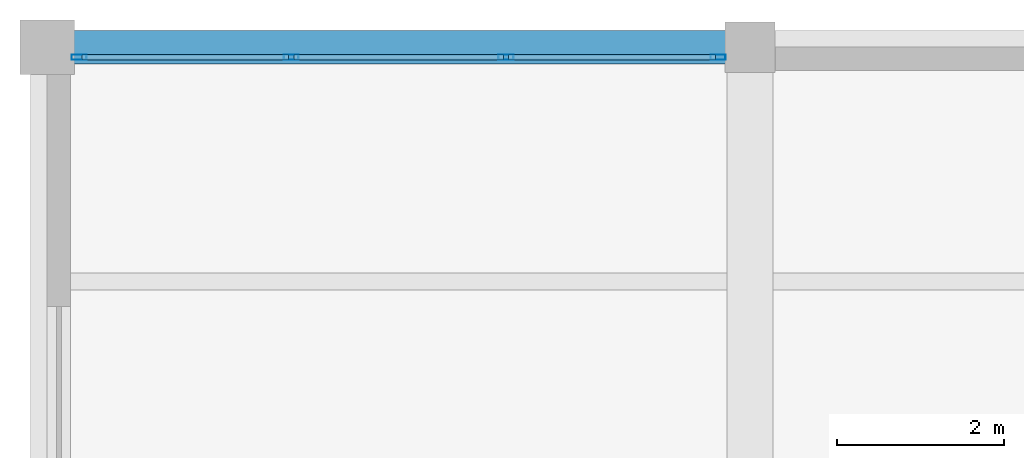
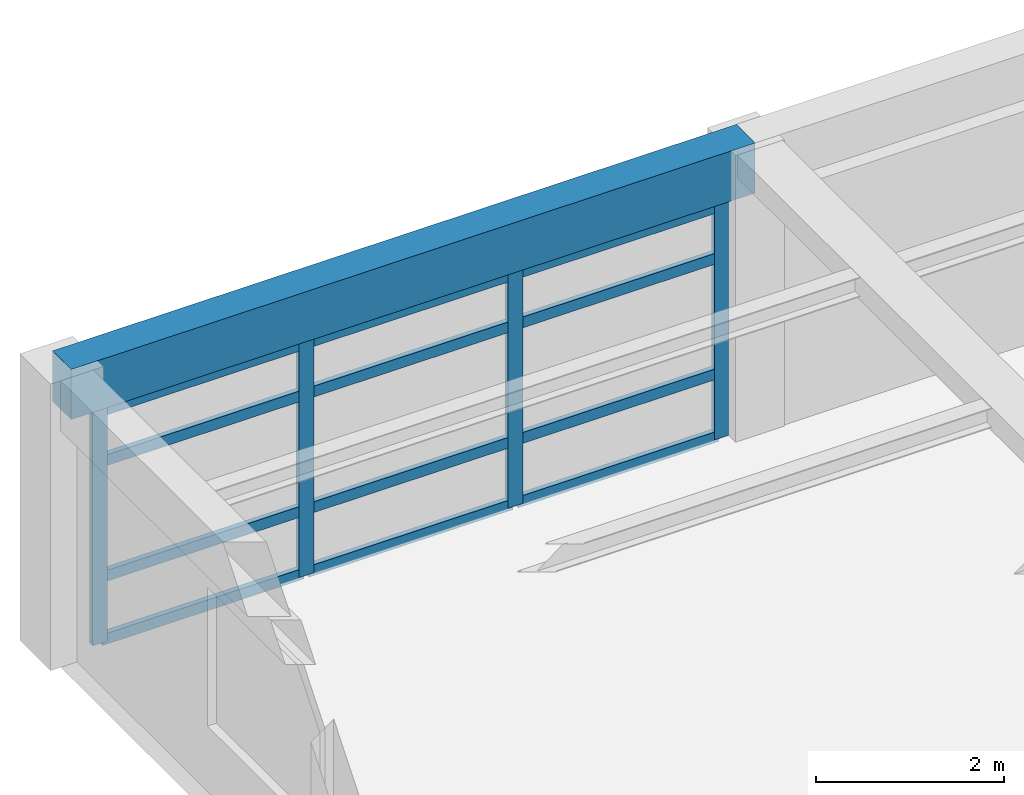
# One storey, part 17 of 26: 16 members, 1 beam, 1 element without a shape of its own.
"""IFC4 building model written with IfcOpenShell, lengths in metres."""

from ifc_helpers import new_model, si_unit, direction, frame, origin, origin_2d, place, context, subcontext, project, spatial, rectangle, hollow_rectangle, extrude, material, material_profile, profile_set, type_object, element, aggregate, save


model = new_model("IFC4")

# Units and contexts
model_context = context("Model", 3, precision=1e-05, world=origin(), true_north=direction((0.0, 1.0)))
body_context = subcontext(model_context, "Body", "Model", "MODEL_VIEW")
ifc_project = project(units=[si_unit("LENGTHUNIT", "METRE"), si_unit("AREAUNIT", "SQUARE_METRE"), si_unit("VOLUMEUNIT", "CUBIC_METRE"), si_unit("PLANEANGLEUNIT", "RADIAN"), si_unit("MASSUNIT", "GRAM", prefix="KILO")], contexts=[model_context])

# Site, building, storey
site_placement = place(None, origin())
site = spatial("IfcSite", under=ifc_project, at=site_placement, CompositionType="ELEMENT")
building_placement = place(site_placement, origin())
building = spatial("IfcBuilding", under=site, at=building_placement, Name="Almacenes y Pasaje Nevantli", CompositionType="ELEMENT")
storey_placement = place(building_placement, frame((0.0, 0.0, 54.699951171875)))
storey = spatial("IfcBuildingStorey", under=building, at=storey_placement, Name="L13", CompositionType="ELEMENT", Elevation=54.699951171875)

# Beam
ifc_material_1 = material(Name="Concrete C35/45", Category="concrete")
ifc_material_profile_1 = material_profile(ifc_material_1, rectangle(XDim=0.39990234375, YDim=0.64990234375, at=origin_2d()), Name="RC-BM-400x650")
ifc_profile_set_1 = profile_set([ifc_material_profile_1], Name="Concrete C35/45")
beam_type = type_object("IfcBeamType", Name="BM-RC-400x650", PredefinedType="SPANDREL", material=ifc_profile_set_1)
beam_placement = place(storey_placement, frame((117.60009765625, 100.800048828125, 3.39501953125), z_axis=(1.0, 0.0, 0.0), x_axis=(0.0, 1.0, 0.0)))
element("IfcBeam", 1, at=beam_placement, inside=storey, type_object=beam_type, Name="L13 East-West Reinforced Concrete Beam #3958", PredefinedType="SPANDREL", context=body_context, shape_type="SweptSolid", body=[
    extrude(rectangle(XDim=0.39990234375, YDim=0.64990234375, at=origin_2d()), origin(), (0.0, 0.0, 1.0), 8.39990234375),
])

# Curtain wall, members
ifc_material_2 = material(Name="Thermally Broken Aluminium and Low-E Glass", Category="aluminium")
curtain_wall_type = type_object("IfcCurtainWallType", Name="CW-UNIT-TOWER", PredefinedType="USERDEFINED", material=ifc_material_2)
curtain_wall_placement = place(storey_placement, origin())
curtain_wall = element("IfcCurtainWall", 2, at=curtain_wall_placement, inside=storey, type_object=curtain_wall_type, Name="L13 Tower North Boulevard Unitized Curtain Wall Bay 15", ObjectType="UNITIZED CURTAIN WALL", PredefinedType="USERDEFINED")
ifc_material_3 = material(Name="Thermally Broken Anodized Aluminium", Category="aluminium")
ifc_material_profile_2 = material_profile(ifc_material_3, hollow_rectangle(XDim=0.06494140625, YDim=0.179931640625, WallThickness=0.00390625, at=origin_2d()), Name="ALU-MUL-65x180")
ifc_profile_set_2 = profile_set([ifc_material_profile_2], Name="Thermally Broken Anodized Aluminium")
member_type_1 = type_object("IfcMemberType", Name="CW-MUL-200", PredefinedType="MULLION", material=ifc_profile_set_2)
member_1_placement = place(storey_placement, frame((117.982421875, 100.679931640625, 0.0), z_axis=(0.0, 0.0, 1.0), x_axis=(0.0, 1.0, 0.0)))
member_1 = element("IfcMember", 3, at=member_1_placement, type_object=member_type_1, Name="CW-L13-168 mullion 1", PredefinedType="MULLION", context=body_context, shape_type="SweptSolid", body=[
    extrude(hollow_rectangle(XDim=0.06494140625, YDim=0.179931640625, WallThickness=0.00390625, at=origin_2d()), origin(), (0.0, 0.0, 1.0), 3.0400390625),
])
member_2_placement = place(storey_placement, frame((120.5166015625, 100.679931640625, 0.0), z_axis=(0.0, 0.0, 1.0), x_axis=(0.0, 1.0, 0.0)))
member_2 = element("IfcMember", 4, at=member_2_placement, type_object=member_type_1, Name="CW-L13-168 mullion 2", PredefinedType="MULLION", context=body_context, shape_type="SweptSolid", body=[
    extrude(hollow_rectangle(XDim=0.06494140625, YDim=0.179931640625, WallThickness=0.00390625, at=origin_2d()), origin(), (0.0, 0.0, 1.0), 3.0400390625),
])
member_3_placement = place(storey_placement, frame((123.083251953125, 100.679931640625, 0.0), z_axis=(0.0, 0.0, 1.0), x_axis=(0.0, 1.0, 0.0)))
member_3 = element("IfcMember", 5, at=member_3_placement, type_object=member_type_1, Name="CW-L13-168 mullion 3", PredefinedType="MULLION", context=body_context, shape_type="SweptSolid", body=[
    extrude(hollow_rectangle(XDim=0.06494140625, YDim=0.179931640625, WallThickness=0.00390625, at=origin_2d()), origin(), (0.0, 0.0, 1.0), 3.0400390625),
])
member_4_placement = place(storey_placement, frame((125.617431640625, 100.679931640625, 0.0), z_axis=(0.0, 0.0, 1.0), x_axis=(0.0, 1.0, 0.0)))
member_4 = element("IfcMember", 6, at=member_4_placement, type_object=member_type_1, Name="CW-L13-168 mullion 4", PredefinedType="MULLION", context=body_context, shape_type="SweptSolid", body=[
    extrude(hollow_rectangle(XDim=0.06494140625, YDim=0.179931640625, WallThickness=0.00390625, at=origin_2d()), origin(), (0.0, 0.0, 1.0), 3.0400390625),
])
ifc_material_4 = material(Name="Thermally Broken Anodized Aluminium", Category="aluminium")
ifc_material_profile_3 = material_profile(ifc_material_4, hollow_rectangle(XDim=0.06494140625, YDim=0.139892578125, WallThickness=0.00390625, at=origin_2d()), Name="ALU-TRN-65x140")
ifc_profile_set_3 = profile_set([ifc_material_profile_3], Name="Thermally Broken Anodized Aluminium")
member_type_2 = type_object("IfcMemberType", Name="CW-TRN-150", PredefinedType="USERDEFINED", material=ifc_profile_set_3)
member_5_placement = place(storey_placement, frame((118.014892578125, 100.679931640625, 0.032470703125), z_axis=(1.0, 0.0, 0.0), x_axis=(0.0, 1.0, 0.0)))
member_5 = element("IfcMember", 7, at=member_5_placement, type_object=member_type_2, Name="CW-L13-168 transom 1.1", ObjectType="TRANSOM", PredefinedType="USERDEFINED", context=body_context, shape_type="SweptSolid", body=[
    extrude(hollow_rectangle(XDim=0.06494140625, YDim=0.139892578125, WallThickness=0.00390625, at=origin_2d()), origin(), (0.0, 0.0, 1.0), 2.46923828125),
])
member_6_placement = place(storey_placement, frame((118.014892578125, 100.679931640625, 0.85009765625), z_axis=(1.0, 0.0, 0.0), x_axis=(0.0, 1.0, 0.0)))
member_6 = element("IfcMember", 8, at=member_6_placement, type_object=member_type_2, Name="CW-L13-168 transom 1.2", ObjectType="TRANSOM", PredefinedType="USERDEFINED", context=body_context, shape_type="SweptSolid", body=[
    extrude(hollow_rectangle(XDim=0.06494140625, YDim=0.139892578125, WallThickness=0.00390625, at=origin_2d()), origin(), (0.0, 0.0, 1.0), 2.46923828125),
])
member_7_placement = place(storey_placement, frame((118.014892578125, 100.679931640625, 2.35009765625), z_axis=(1.0, 0.0, 0.0), x_axis=(0.0, 1.0, 0.0)))
member_7 = element("IfcMember", 9, at=member_7_placement, type_object=member_type_2, Name="CW-L13-168 transom 1.3", ObjectType="TRANSOM", PredefinedType="USERDEFINED", context=body_context, shape_type="SweptSolid", body=[
    extrude(hollow_rectangle(XDim=0.06494140625, YDim=0.139892578125, WallThickness=0.00390625, at=origin_2d()), origin(), (0.0, 0.0, 1.0), 2.46923828125),
])
member_8_placement = place(storey_placement, frame((118.014892578125, 100.679931640625, 3.007568359375), z_axis=(1.0, 0.0, 0.0), x_axis=(0.0, 1.0, 0.0)))
member_8 = element("IfcMember", 10, at=member_8_placement, type_object=member_type_2, Name="CW-L13-168 transom 1.4", ObjectType="TRANSOM", PredefinedType="USERDEFINED", context=body_context, shape_type="SweptSolid", body=[
    extrude(hollow_rectangle(XDim=0.06494140625, YDim=0.139892578125, WallThickness=0.00390625, at=origin_2d()), origin(), (0.0, 0.0, 1.0), 2.46923828125),
])
member_9_placement = place(storey_placement, frame((120.549072265625, 100.679931640625, 0.032470703125), z_axis=(1.0, 0.0, 0.0), x_axis=(0.0, 1.0, 0.0)))
member_9 = element("IfcMember", 11, at=member_9_placement, type_object=member_type_2, Name="CW-L13-168 transom 2.1", ObjectType="TRANSOM", PredefinedType="USERDEFINED", context=body_context, shape_type="SweptSolid", body=[
    extrude(hollow_rectangle(XDim=0.06494140625, YDim=0.139892578125, WallThickness=0.00390625, at=origin_2d()), origin(), (0.0, 0.0, 1.0), 2.501708984375),
])
member_10_placement = place(storey_placement, frame((120.549072265625, 100.679931640625, 0.85009765625), z_axis=(1.0, 0.0, 0.0), x_axis=(0.0, 1.0, 0.0)))
member_10 = element("IfcMember", 12, at=member_10_placement, type_object=member_type_2, Name="CW-L13-168 transom 2.2", ObjectType="TRANSOM", PredefinedType="USERDEFINED", context=body_context, shape_type="SweptSolid", body=[
    extrude(hollow_rectangle(XDim=0.06494140625, YDim=0.139892578125, WallThickness=0.00390625, at=origin_2d()), origin(), (0.0, 0.0, 1.0), 2.501708984375),
])
member_11_placement = place(storey_placement, frame((120.549072265625, 100.679931640625, 2.35009765625), z_axis=(1.0, 0.0, 0.0), x_axis=(0.0, 1.0, 0.0)))
member_11 = element("IfcMember", 13, at=member_11_placement, type_object=member_type_2, Name="CW-L13-168 transom 2.3", ObjectType="TRANSOM", PredefinedType="USERDEFINED", context=body_context, shape_type="SweptSolid", body=[
    extrude(hollow_rectangle(XDim=0.06494140625, YDim=0.139892578125, WallThickness=0.00390625, at=origin_2d()), origin(), (0.0, 0.0, 1.0), 2.501708984375),
])
member_12_placement = place(storey_placement, frame((120.549072265625, 100.679931640625, 3.007568359375), z_axis=(1.0, 0.0, 0.0), x_axis=(0.0, 1.0, 0.0)))
member_12 = element("IfcMember", 14, at=member_12_placement, type_object=member_type_2, Name="CW-L13-168 transom 2.4", ObjectType="TRANSOM", PredefinedType="USERDEFINED", context=body_context, shape_type="SweptSolid", body=[
    extrude(hollow_rectangle(XDim=0.06494140625, YDim=0.139892578125, WallThickness=0.00390625, at=origin_2d()), origin(), (0.0, 0.0, 1.0), 2.501708984375),
])
member_13_placement = place(storey_placement, frame((123.11572265625, 100.679931640625, 0.032470703125), z_axis=(1.0, 0.0, 0.0), x_axis=(0.0, 1.0, 0.0)))
member_13 = element("IfcMember", 15, at=member_13_placement, type_object=member_type_2, Name="CW-L13-168 transom 3.1", ObjectType="TRANSOM", PredefinedType="USERDEFINED", context=body_context, shape_type="SweptSolid", body=[
    extrude(hollow_rectangle(XDim=0.06494140625, YDim=0.139892578125, WallThickness=0.00390625, at=origin_2d()), origin(), (0.0, 0.0, 1.0), 2.46923828125),
])
member_14_placement = place(storey_placement, frame((123.11572265625, 100.679931640625, 0.85009765625), z_axis=(1.0, 0.0, 0.0), x_axis=(0.0, 1.0, 0.0)))
member_14 = element("IfcMember", 16, at=member_14_placement, type_object=member_type_2, Name="CW-L13-168 transom 3.2", ObjectType="TRANSOM", PredefinedType="USERDEFINED", context=body_context, shape_type="SweptSolid", body=[
    extrude(hollow_rectangle(XDim=0.06494140625, YDim=0.139892578125, WallThickness=0.00390625, at=origin_2d()), origin(), (0.0, 0.0, 1.0), 2.46923828125),
])
member_15_placement = place(storey_placement, frame((123.11572265625, 100.679931640625, 2.35009765625), z_axis=(1.0, 0.0, 0.0), x_axis=(0.0, 1.0, 0.0)))
member_15 = element("IfcMember", 17, at=member_15_placement, type_object=member_type_2, Name="CW-L13-168 transom 3.3", ObjectType="TRANSOM", PredefinedType="USERDEFINED", context=body_context, shape_type="SweptSolid", body=[
    extrude(hollow_rectangle(XDim=0.06494140625, YDim=0.139892578125, WallThickness=0.00390625, at=origin_2d()), origin(), (0.0, 0.0, 1.0), 2.46923828125),
])
member_16_placement = place(storey_placement, frame((123.11572265625, 100.679931640625, 3.007568359375), z_axis=(1.0, 0.0, 0.0), x_axis=(0.0, 1.0, 0.0)))
member_16 = element("IfcMember", 18, at=member_16_placement, type_object=member_type_2, Name="CW-L13-168 transom 3.4", ObjectType="TRANSOM", PredefinedType="USERDEFINED", context=body_context, shape_type="SweptSolid", body=[
    extrude(hollow_rectangle(XDim=0.06494140625, YDim=0.139892578125, WallThickness=0.00390625, at=origin_2d()), origin(), (0.0, 0.0, 1.0), 2.46923828125),
])
aggregate(curtain_wall, [member_1, member_2, member_3, member_4, member_5, member_6, member_7, member_8, member_9, member_10, member_11, member_12, member_13, member_14, member_15, member_16])

save(model, "model.ifc")
